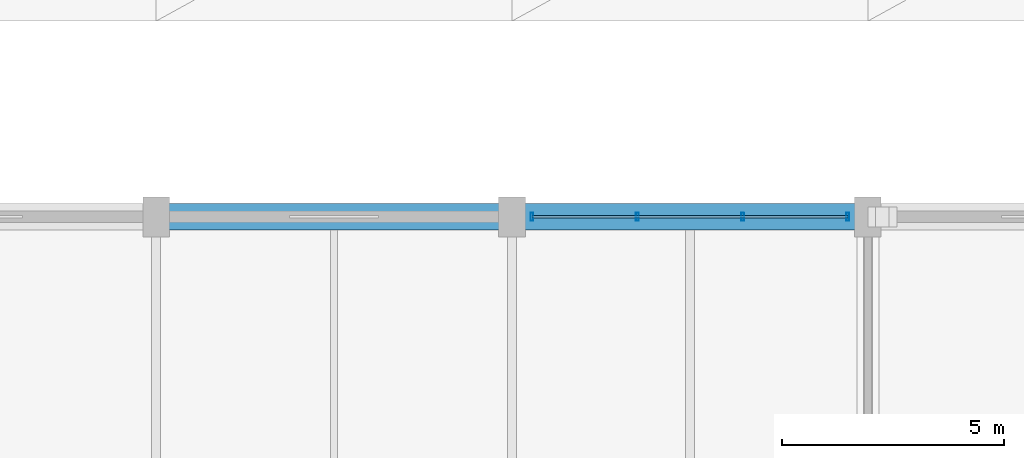
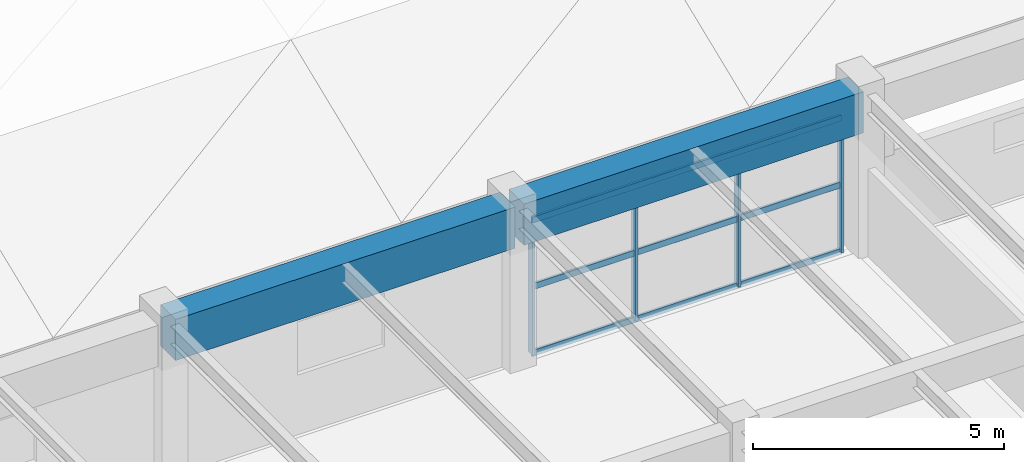
# One storey, part 10 of 126: 7 members, 2 beams, 1 element without a shape of its own.
"""IFC4 building model written with IfcOpenShell, lengths in metres."""

from ifc_helpers import new_model, si_unit, direction, frame, origin, origin_2d, place, context, subcontext, project, spatial, rectangle, hollow_rectangle, extrude, material, material_profile, profile_set, type_object, element, aggregate, save


model = new_model("IFC4")

# Units and contexts
model_context = context("Model", 3, precision=1e-05, world=origin(), true_north=direction((0.0, 1.0)))
body_context = subcontext(model_context, "Body", "Model", "MODEL_VIEW")
ifc_project = project(units=[si_unit("LENGTHUNIT", "METRE"), si_unit("AREAUNIT", "SQUARE_METRE"), si_unit("VOLUMEUNIT", "CUBIC_METRE"), si_unit("PLANEANGLEUNIT", "RADIAN"), si_unit("MASSUNIT", "GRAM", prefix="KILO")], contexts=[model_context])

# Site, building, storey
site_placement = place(None, origin())
site = spatial("IfcSite", under=ifc_project, at=site_placement, CompositionType="ELEMENT")
building_placement = place(site_placement, origin())
building = spatial("IfcBuilding", under=site, at=building_placement, Name="Varnabhumi Central Station", CompositionType="ELEMENT")
storey_placement = place(building_placement, frame((0.0, 0.0, 16.199951171875)))
storey = spatial("IfcBuildingStorey", under=building, at=storey_placement, Name="L03", CompositionType="ELEMENT", Elevation=16.199951171875)

# Beams
ifc_material_1 = material(Name="Concrete M50", Category="concrete")
ifc_material_profile_1 = material_profile(ifc_material_1, rectangle(XDim=0.60009765625, YDim=1.0, at=origin_2d()), Name="Concrete M50", Category="concrete")
ifc_profile_set_1 = profile_set([ifc_material_profile_1], Name="Concrete M50")
beam_type = type_object("IfcBeamType", Name="BM-RC-600x1000", PredefinedType="BEAM", material=ifc_profile_set_1)
for number, where, z_axis, x_axis, name in (
    (1, (48.10009765625, 36.0, 3.420166015625), (1.0, 0.0, 0.0), (0.0, 1.0, 0.0), "Beam L03-E:7-8"),
    (2, (56.10009765625, 36.0, 3.420166015625), (1.0, 0.0, 0.0), (0.0, 1.0, 0.0), "Beam L03-E:8-9"),
):
    element("IfcBeam", number, at=place(storey_placement, frame(where, z_axis=z_axis, x_axis=x_axis)), inside=storey, type_object=beam_type, Name=name, PredefinedType="BEAM", context=body_context, shape_type="SweptSolid", body=[
        extrude(rectangle(XDim=0.60009765625, YDim=1.0, at=origin_2d()), origin(), (0.0, 0.0, 1.0), 7.7998046875),
    ])

# Curtain wall, members
ifc_material_2 = material(Name="Anodised aluminium 6063-T6", Category="aluminium")
curtain_wall_type = type_object("IfcCurtainWallType", Name="CW-SPINE-SCREEN-L0", PredefinedType="NOTDEFINED", material=ifc_material_2)
curtain_wall_placement = place(storey_placement, origin())
curtain_wall = element("IfcCurtainWall", 3, at=curtain_wall_placement, inside=storey, type_object=curtain_wall_type, Name="Curtain Wall CW-SS303", PredefinedType="NOTDEFINED")
ifc_material_profile_2 = material_profile(ifc_material_2, hollow_rectangle(XDim=0.06494140625, YDim=0.179931640625, WallThickness=0.00390625, InnerFilletRadius=0.001953125, OuterFilletRadius=0.006103515625, at=origin_2d()), Name="Anodised aluminium 6063-T6", Category="aluminium")
ifc_profile_set_2 = profile_set([ifc_material_profile_2], Name="Anodised aluminium 6063-T6")
member_type_1 = type_object("IfcMemberType", Name="CW-MUL-180", PredefinedType="MULLION", material=ifc_profile_set_2)
member_1_placement = place(storey_placement, frame((56.449951171875, 36.0, 0.0), z_axis=(0.0, 0.0, 1.0), x_axis=(1.0, 0.0, 0.0)))
member_1 = element("IfcMember", 4, at=member_1_placement, type_object=member_type_1, Name="Curtain Wall Mullion CW-SS303-M1", PredefinedType="MULLION", context=body_context, shape_type="SweptSolid", body=[
    extrude(hollow_rectangle(XDim=0.06494140625, YDim=0.179931640625, WallThickness=0.00390625, InnerFilletRadius=0.001953125, OuterFilletRadius=0.006103515625, at=origin_2d()), origin(), (0.0, 0.0, 1.0), 3.239990234375),
])
member_2_placement = place(storey_placement, frame((58.816650390625, 36.0, 0.0), z_axis=(0.0, 0.0, 1.0), x_axis=(1.0, 0.0, 0.0)))
member_2 = element("IfcMember", 5, at=member_2_placement, type_object=member_type_1, Name="Curtain Wall Mullion CW-SS303-M2", PredefinedType="MULLION", context=body_context, shape_type="SweptSolid", body=[
    extrude(hollow_rectangle(XDim=0.06494140625, YDim=0.179931640625, WallThickness=0.00390625, InnerFilletRadius=0.001953125, OuterFilletRadius=0.006103515625, at=origin_2d()), origin(), (0.0, 0.0, 1.0), 3.239990234375),
])
member_3_placement = place(storey_placement, frame((61.183349609375, 36.0, 0.0), z_axis=(0.0, 0.0, 1.0), x_axis=(1.0, 0.0, 0.0)))
member_3 = element("IfcMember", 6, at=member_3_placement, type_object=member_type_1, Name="Curtain Wall Mullion CW-SS303-M3", PredefinedType="MULLION", context=body_context, shape_type="SweptSolid", body=[
    extrude(hollow_rectangle(XDim=0.06494140625, YDim=0.179931640625, WallThickness=0.00390625, InnerFilletRadius=0.001953125, OuterFilletRadius=0.006103515625, at=origin_2d()), origin(), (0.0, 0.0, 1.0), 3.239990234375),
])
member_4_placement = place(storey_placement, frame((63.550048828125, 36.0, 0.0), z_axis=(0.0, 0.0, 1.0), x_axis=(1.0, 0.0, 0.0)))
member_4 = element("IfcMember", 7, at=member_4_placement, type_object=member_type_1, Name="Curtain Wall Mullion CW-SS303-M4", PredefinedType="MULLION", context=body_context, shape_type="SweptSolid", body=[
    extrude(hollow_rectangle(XDim=0.06494140625, YDim=0.179931640625, WallThickness=0.00390625, InnerFilletRadius=0.001953125, OuterFilletRadius=0.006103515625, at=origin_2d()), origin(), (0.0, 0.0, 1.0), 3.239990234375),
])
ifc_material_profile_3 = material_profile(ifc_material_2, hollow_rectangle(XDim=0.06005859375, YDim=0.14990234375, WallThickness=0.00390625, InnerFilletRadius=0.001953125, OuterFilletRadius=0.006103515625, at=origin_2d()), Name="Anodised aluminium 6063-T6", Category="aluminium")
ifc_profile_set_3 = profile_set([ifc_material_profile_3], Name="Anodised aluminium 6063-T6")
member_type_2 = type_object("IfcMemberType", Name="CW-TR-150", PredefinedType="USERDEFINED", material=ifc_profile_set_3)
member_5_placement = place(storey_placement, frame((56.449951171875, 36.0, 0.0), z_axis=(1.0, 0.0, 0.0), x_axis=(0.0, 1.0, 0.0)))
member_5 = element("IfcMember", 8, at=member_5_placement, type_object=member_type_2, Name="Curtain Wall Transom CW-SS303-T1", ObjectType="TRANSOM", PredefinedType="USERDEFINED", context=body_context, shape_type="SweptSolid", body=[
    extrude(hollow_rectangle(XDim=0.06005859375, YDim=0.14990234375, WallThickness=0.00390625, InnerFilletRadius=0.001953125, OuterFilletRadius=0.006103515625, at=origin_2d()), origin(), (0.0, 0.0, 1.0), 7.10009765625),
])
member_6_placement = place(storey_placement, frame((56.449951171875, 36.0, 1.6201171875), z_axis=(1.0, 0.0, 0.0), x_axis=(0.0, 1.0, 0.0)))
member_6 = element("IfcMember", 9, at=member_6_placement, type_object=member_type_2, Name="Curtain Wall Transom CW-SS303-T2", ObjectType="TRANSOM", PredefinedType="USERDEFINED", context=body_context, shape_type="SweptSolid", body=[
    extrude(hollow_rectangle(XDim=0.06005859375, YDim=0.14990234375, WallThickness=0.00390625, InnerFilletRadius=0.001953125, OuterFilletRadius=0.006103515625, at=origin_2d()), origin(), (0.0, 0.0, 1.0), 7.10009765625),
])
member_7_placement = place(storey_placement, frame((56.449951171875, 36.0, 3.239990234375), z_axis=(1.0, 0.0, 0.0), x_axis=(0.0, 1.0, 0.0)))
member_7 = element("IfcMember", 10, at=member_7_placement, type_object=member_type_2, Name="Curtain Wall Transom CW-SS303-T3", ObjectType="TRANSOM", PredefinedType="USERDEFINED", context=body_context, shape_type="SweptSolid", body=[
    extrude(hollow_rectangle(XDim=0.06005859375, YDim=0.14990234375, WallThickness=0.00390625, InnerFilletRadius=0.001953125, OuterFilletRadius=0.006103515625, at=origin_2d()), origin(), (0.0, 0.0, 1.0), 7.10009765625),
])
aggregate(curtain_wall, [member_1, member_2, member_3, member_4, member_5, member_6, member_7])

save(model, "model.ifc")
